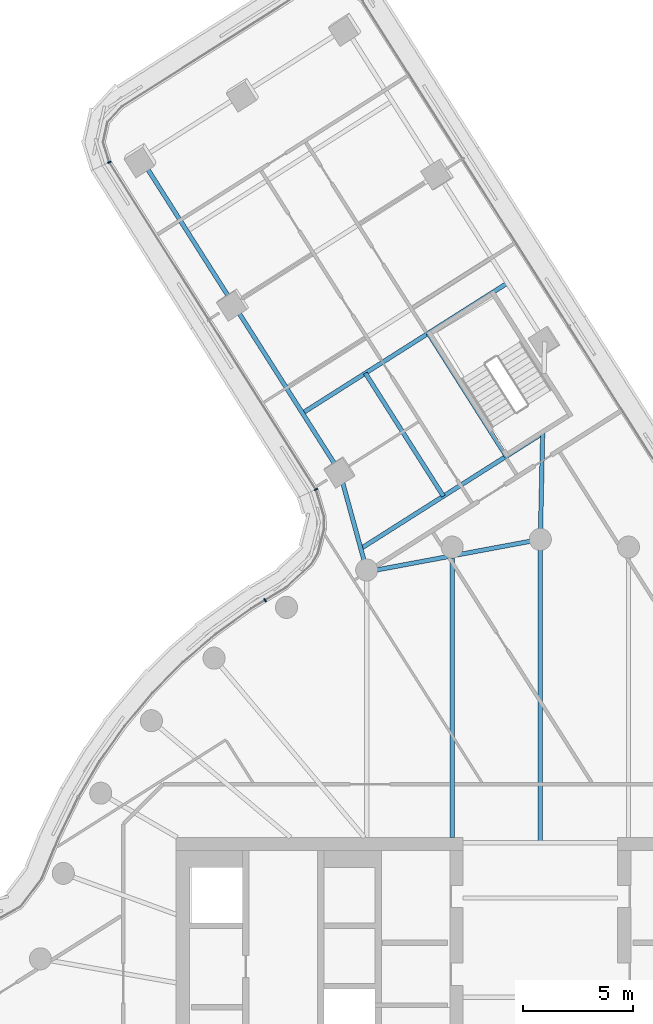
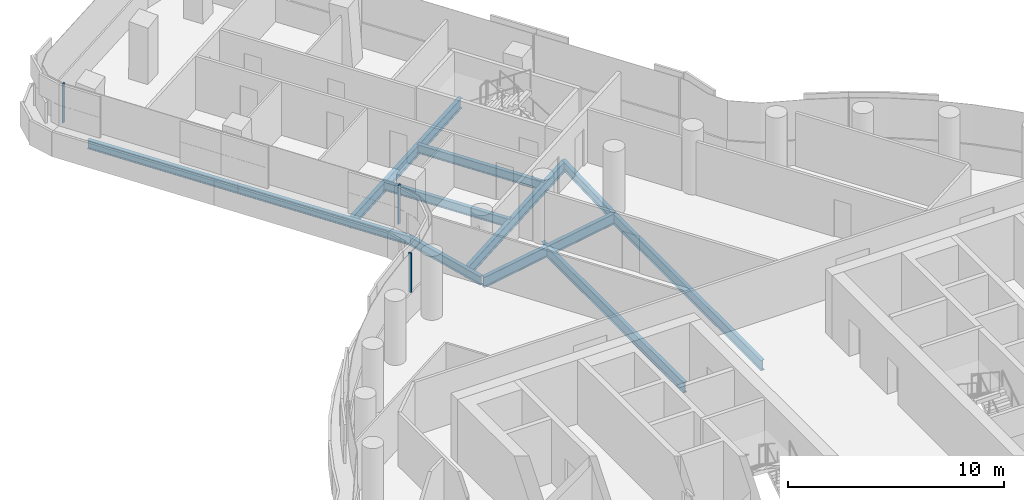
# One storey, part 15 of 36: 11 beams, 3 members, 2 elements without a shape of their own.
"""IFC4 building model written with IfcOpenShell, lengths in metres."""

from ifc_helpers import new_model, si_unit, direction, frame, origin, origin_2d, place, context, subcontext, project, spatial, rectangle, i_section, extrude, material, layer, layer_set, material_profile, profile_set, type_object, element, aggregate, save


model = new_model("IFC4")

# Units and contexts
model_context = context("Model", 3, precision=1e-05, world=origin(), true_north=direction((0.0, 1.0)))
body_context = subcontext(model_context, "Body", "Model", "MODEL_VIEW")
ifc_project = project(units=[si_unit("LENGTHUNIT", "METRE"), si_unit("AREAUNIT", "SQUARE_METRE"), si_unit("VOLUMEUNIT", "CUBIC_METRE"), si_unit("PLANEANGLEUNIT", "RADIAN"), si_unit("MASSUNIT", "GRAM", prefix="KILO")], contexts=[model_context])

# Site, building, storey
site_placement = place(None, origin())
site = spatial("IfcSite", under=ifc_project, at=site_placement, CompositionType="ELEMENT")
building_placement = place(site_placement, origin())
building = spatial("IfcBuilding", under=site, at=building_placement, Name="Tamarind Cross Interchange Tower", CompositionType="ELEMENT")
storey_placement = place(building_placement, frame((0.0, 0.0, 151.75)))
storey = spatial("IfcBuildingStorey", under=building, at=storey_placement, Name="L37", CompositionType="ELEMENT", Elevation=151.75)

# Beams
ifc_material_1 = material(Name="Steel Q355B", Category="steel")
ifc_material_profile_1 = material_profile(ifc_material_1, i_section(OverallWidth=0.198974609375, OverallDepth=0.49609375, WebThickness=0.009033203125, FlangeThickness=0.013916015625, FilletRadius=0.012939453125, at=origin_2d()), Name="HN 496x199x9x14")
ifc_profile_set_1 = profile_set([ifc_material_profile_1], Name="Steel Q355B")
beam_type_1 = type_object("IfcBeamType", Name="Composite beam HN 496x199x9x14 Q355B", PredefinedType="BEAM", material=ifc_profile_set_1)
beam_1_placement = place(storey_placement, frame((-18.10009765625, 40.265869140625, -0.387939453125), z_axis=(0.535658784414, -0.844434524803, 0.0), x_axis=(0.844434524803, 0.535658784414, 0.0)))
element("IfcBeam", 1, at=beam_1_placement, inside=storey, type_object=beam_type_1, Name="Beam N-edgeep2", PredefinedType="BEAM", context=body_context, shape_type="SweptSolid", body=[
    extrude(i_section(OverallWidth=0.198974609375, OverallDepth=0.49609375, WebThickness=0.009033203125, FlangeThickness=0.013916015625, FilletRadius=0.012939453125, at=origin_2d()), origin(), (0.0, 0.0, 1.0), 7.81982421875),
])
beam_2_placement = place(storey_placement, frame((-13.911376953125, 33.66259765625, -0.387939453125), z_axis=(0.535670839278, -0.844426877798, 0.0), x_axis=(0.844426877798, 0.535670839278, 0.0)))
element("IfcBeam", 2, at=beam_2_placement, inside=storey, type_object=beam_type_1, Name="Beam N-edgeep3", PredefinedType="BEAM", context=body_context, shape_type="SweptSolid", body=[
    extrude(i_section(OverallWidth=0.198974609375, OverallDepth=0.49609375, WebThickness=0.009033203125, FlangeThickness=0.013916015625, FilletRadius=0.012939453125, at=origin_2d()), origin(), (0.0, 0.0, 1.0), 9.0),
])
beam_3_placement = place(storey_placement, frame((0.10791015625, 27.87109375, -0.387939453125), z_axis=(-0.022147733627, -0.999754708864, 0.0), x_axis=(0.999754708864, -0.022147733627, 0.0)))
element("IfcBeam", 3, at=beam_3_placement, inside=storey, type_object=beam_type_1, Name="Beam N-linkemt1", PredefinedType="BEAM", context=body_context, shape_type="SweptSolid", body=[
    extrude(i_section(OverallWidth=0.198974609375, OverallDepth=0.49609375, WebThickness=0.009033203125, FlangeThickness=0.013916015625, FilletRadius=0.012939453125, at=origin_2d()), origin(), (0.0, 0.0, 1.0), 4.872314453125),
])
beam_4_placement = place(storey_placement, frame((-9.09033203125, 26.062744140625, -0.387939453125), z_axis=(0.265198288043, -0.964193895448, 0.0), x_axis=(0.964193895448, 0.265198288043, 0.0)))
element("IfcBeam", 4, at=beam_4_placement, inside=storey, type_object=beam_type_1, Name="Beam N-linkep", PredefinedType="BEAM", context=body_context, shape_type="SweptSolid", body=[
    extrude(i_section(OverallWidth=0.198974609375, OverallDepth=0.49609375, WebThickness=0.009033203125, FlangeThickness=0.013916015625, FilletRadius=0.012939453125, at=origin_2d()), origin(), (0.0, 0.0, 1.0), 4.614990234375),
])
for number, where, z_axis, x_axis, name in (
    (5, (-1.54248046875, 26.76513671875, -0.387939453125), (-0.535666206895, 0.84442981638, 0.0), (-0.84442981638, -0.535666206895, 0.0), "Beam N-tr1"),
    (6, (-4.392333984375, 24.957275390625, -0.387939453125), (-0.535666206895, 0.84442981638, 0.0), (-0.84442981638, -0.535666206895, 0.0), "Beam N-stripp"),
):
    element("IfcBeam", number, at=place(storey_placement, frame(where, z_axis=z_axis, x_axis=x_axis)), inside=storey, type_object=beam_type_1, Name=name, PredefinedType="BEAM", context=body_context, shape_type="SweptSolid", body=[
        extrude(i_section(OverallWidth=0.198974609375, OverallDepth=0.49609375, WebThickness=0.009033203125, FlangeThickness=0.013916015625, FilletRadius=0.012939453125, at=origin_2d()), origin(), (0.0, 0.0, 1.0), 6.60009765625),
    ])
ifc_material_profile_2 = material_profile(ifc_material_1, i_section(OverallWidth=0.198974609375, OverallDepth=0.595947265625, WebThickness=0.010009765625, FlangeThickness=0.014892578125, FilletRadius=0.012939453125, at=origin_2d()), Name="HN 596x199x10x15")
ifc_profile_set_2 = profile_set([ifc_material_profile_2], Name="Steel Q355B")
beam_type_2 = type_object("IfcBeamType", Name="Composite beam HN 596x199x10x15 Q355B", PredefinedType="BEAM", material=ifc_profile_set_2)
beam_5_placement = place(storey_placement, frame((0.0, 23.0, -0.43798828125), z_axis=(0.0, -1.0, 0.0), x_axis=(1.0, 0.0, 0.0)))
element("IfcBeam", 7, at=beam_5_placement, inside=storey, type_object=beam_type_2, Name="Beam HH09", PredefinedType="BEAM", context=body_context, shape_type="SweptSolid", body=[
    extrude(i_section(OverallWidth=0.198974609375, OverallDepth=0.595947265625, WebThickness=0.010009765625, FlangeThickness=0.014892578125, FilletRadius=0.012939453125, at=origin_2d()), origin(), (0.0, 0.0, 1.0), 13.75),
])
beam_6_placement = place(storey_placement, frame((-3.993896484375, 22.650634765625, -0.43798828125), z_axis=(0.0, -1.0, 0.0), x_axis=(1.0, 0.0, 0.0)))
element("IfcBeam", 8, at=beam_6_placement, inside=storey, type_object=beam_type_2, Name="Beam HH10", PredefinedType="BEAM", context=body_context, shape_type="SweptSolid", body=[
    extrude(i_section(OverallWidth=0.198974609375, OverallDepth=0.595947265625, WebThickness=0.010009765625, FlangeThickness=0.014892578125, FilletRadius=0.012939453125, at=origin_2d()), origin(), (0.0, 0.0, 1.0), 13.150634765625),
])
ifc_material_profile_3 = material_profile(ifc_material_1, i_section(OverallWidth=0.199951171875, OverallDepth=0.60009765625, WebThickness=0.010986328125, FlangeThickness=0.01708984375, FilletRadius=0.012939453125, at=origin_2d()), Name="HN 600x200x11x17")
ifc_profile_set_3 = profile_set([ifc_material_profile_3], Name="Steel Q355B")
beam_type_3 = type_object("IfcBeamType", Name="Composite beam HN 600x200x11x17 Q355B", PredefinedType="BEAM", material=ifc_profile_set_3)
beam_7_placement = place(storey_placement, frame((0.106689453125, 27.81103515625, -0.43994140625), z_axis=(-0.844437367475, -0.535654303083, 0.0), x_axis=(0.535654303083, -0.844437367475, 0.0)))
element("IfcBeam", 9, at=beam_7_placement, inside=storey, type_object=beam_type_3, Name="Beam N-x268", PredefinedType="BEAM", context=body_context, shape_type="SweptSolid", body=[
    extrude(i_section(OverallWidth=0.199951171875, OverallDepth=0.60009765625, WebThickness=0.010986328125, FlangeThickness=0.01708984375, FilletRadius=0.012939453125, at=origin_2d()), origin(), (0.0, 0.0, 1.0), 9.75830078125),
])
beam_8_placement = place(storey_placement, frame((-1.489013671875, 34.614990234375, -0.43994140625), z_axis=(-0.84442557065, -0.535672899849, 0.0), x_axis=(0.535672899849, -0.84442557065, 0.0)))
element("IfcBeam", 10, at=beam_8_placement, inside=storey, type_object=beam_type_3, Name="Beam N-x334", PredefinedType="BEAM", context=body_context, shape_type="SweptSolid", body=[
    extrude(i_section(OverallWidth=0.199951171875, OverallDepth=0.60009765625, WebThickness=0.010986328125, FlangeThickness=0.01708984375, FilletRadius=0.012939453125, at=origin_2d()), origin(), (0.0, 0.0, 1.0), 10.999755859375),
])
beam_9_placement = place(storey_placement, frame((0.0, 23.0, -0.43994140625), z_axis=(-0.98300326774, -0.183588059557, 0.0), x_axis=(0.183588059557, -0.98300326774, 0.0)))
element("IfcBeam", 11, at=beam_9_placement, inside=storey, type_object=beam_type_3, Name="Beam N-x258", PredefinedType="BEAM", context=body_context, shape_type="SweptSolid", body=[
    extrude(i_section(OverallWidth=0.199951171875, OverallDepth=0.60009765625, WebThickness=0.010986328125, FlangeThickness=0.01708984375, FilletRadius=0.012939453125, at=origin_2d()), origin(), (0.0, 0.0, 1.0), 7.955078125),
])

# Curtain wall, member
ifc_material_2 = material(Name="Aluminium 6063-T6", Category="aluminium")
ifc_layer = layer(ifc_material_2, 0.159912109375)
ifc_layer_set = layer_set([ifc_layer], Name="Aluminium 6063-T6")
curtain_wall_type = type_object("IfcCurtainWallType", Name="Office curtain wall, 9.0 m bays", PredefinedType="NOTDEFINED", material=ifc_layer_set)
curtain_wall_1_placement = place(storey_placement, origin())
curtain_wall_1 = element("IfcCurtainWall", 12, at=curtain_wall_1_placement, inside=storey, type_object=curtain_wall_type, Name="CWS-L37-01", PredefinedType="NOTDEFINED")
ifc_material_profile_4 = material_profile(ifc_material_2, rectangle(XDim=0.06005859375, YDim=0.159912109375, at=origin_2d()), Name="Mullion CW1")
ifc_profile_set_4 = profile_set([ifc_material_profile_4], Name="Aluminium 6063-T6")
member_type = type_object("IfcMemberType", Name="Mullion CW1", PredefinedType="MULLION", material=ifc_profile_set_4)
member_1_placement = place(storey_placement, frame((-19.5263671875, 40.08740234375, 1.39990234375), z_axis=(0.0, 0.0, 1.0), x_axis=(0.419902223158, -0.907569348858, 0.0)))
member_1 = element("IfcMember", 13, at=member_1_placement, type_object=member_type, Name="CWM-L37-01-00", PredefinedType="MULLION", context=body_context, shape_type="SweptSolid", body=[
    extrude(rectangle(XDim=0.06005859375, YDim=0.159912109375, at=origin_2d()), origin(), (0.0, 0.0, 1.0), 2.210205078125),
])
aggregate(curtain_wall_1, [member_1])

# Curtain wall, members
curtain_wall_2_placement = place(storey_placement, origin())
curtain_wall_2 = element("IfcCurtainWall", 14, at=curtain_wall_2_placement, inside=storey, type_object=curtain_wall_type, Name="CWS-L37-02", PredefinedType="NOTDEFINED")
member_2_placement = place(storey_placement, frame((-10.16650390625, 25.26318359375, 1.39990234375), z_axis=(0.0, 0.0, 1.0), x_axis=(0.414657809524, -0.909977417852, 0.0)))
member_2 = element("IfcMember", 15, at=member_2_placement, type_object=member_type, Name="CWM-L37-02-00", PredefinedType="MULLION", context=body_context, shape_type="SweptSolid", body=[
    extrude(rectangle(XDim=0.06005859375, YDim=0.159912109375, at=origin_2d()), origin(), (0.0, 0.0, 1.0), 2.210205078125),
])
member_3_placement = place(storey_placement, frame((-12.466796875, 20.24658203125, 1.39990234375), z_axis=(0.0, 0.0, 1.0), x_axis=(-0.856648360472, -0.515900752568, 0.0)))
member_3 = element("IfcMember", 16, at=member_3_placement, type_object=member_type, Name="CWM-L37-02-01", PredefinedType="MULLION", context=body_context, shape_type="SweptSolid", body=[
    extrude(rectangle(XDim=0.06005859375, YDim=0.159912109375, at=origin_2d()), origin(), (0.0, 0.0, 1.0), 2.210205078125),
])
aggregate(curtain_wall_2, [member_2, member_3])

save(model, "model.ifc")
